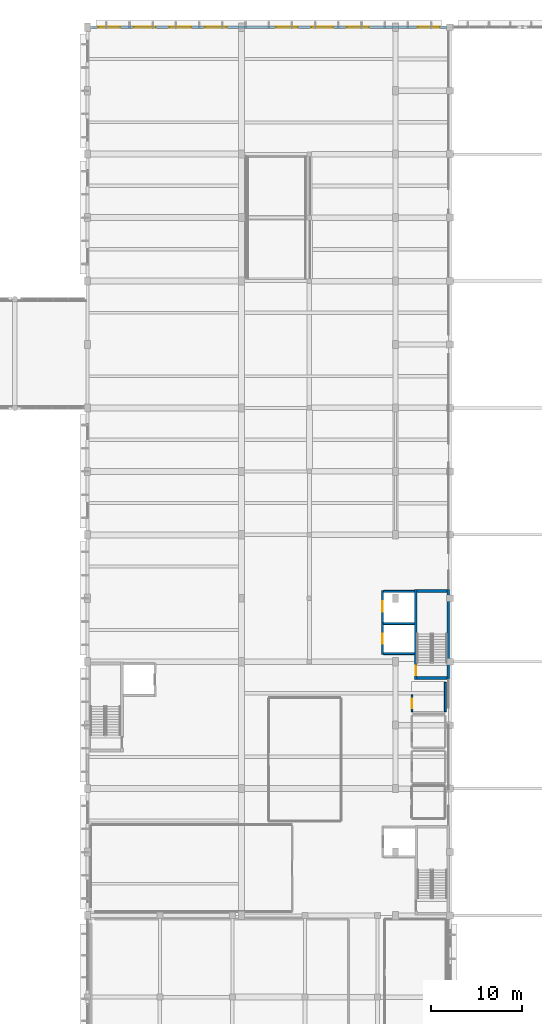
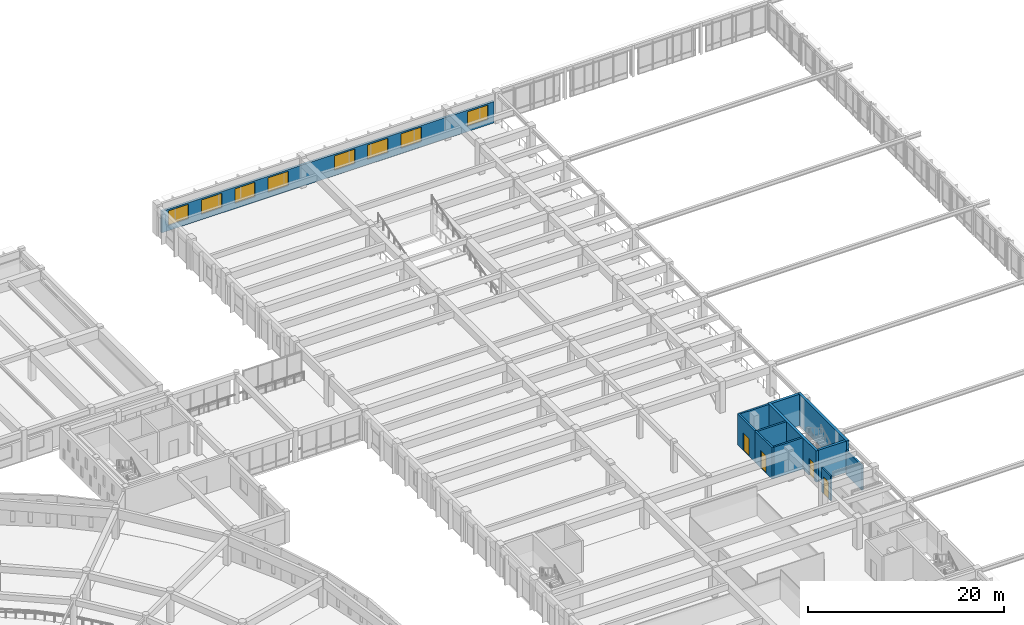
# One storey, part 74 of 98: 12 walls, 8 windows, 4 doors, 12 openings.
"""IFC4 building model written with IfcOpenShell, lengths in metres."""

from ifc_helpers import new_model, si_unit, direction, frame, frame_2d, origin, place, context, subcontext, project, spatial, rectangle, extrude, material, layer, layer_set, type_object, element, fill, save


model = new_model("IFC4")

# Units and contexts
model_context = context("Model", 3, precision=1e-05, world=origin(), true_north=direction((0.0, 1.0)))
body_context = subcontext(model_context, "Body", "Model", "MODEL_VIEW")
ifc_project = project(units=[si_unit("LENGTHUNIT", "METRE"), si_unit("AREAUNIT", "SQUARE_METRE"), si_unit("VOLUMEUNIT", "CUBIC_METRE"), si_unit("PLANEANGLEUNIT", "RADIAN"), si_unit("MASSUNIT", "GRAM", prefix="KILO")], contexts=[model_context])

# Site, building, storey
site_placement = place(None, origin())
site = spatial("IfcSite", under=ifc_project, at=site_placement, CompositionType="ELEMENT")
building_placement = place(site_placement, origin())
building = spatial("IfcBuilding", under=site, at=building_placement, Name="Larkveld Mobility Hub", CompositionType="ELEMENT")
storey_placement = place(building_placement, frame((0.0, 0.0, 4.5)))
storey = spatial("IfcBuildingStorey", under=building, at=storey_placement, Name="L01", CompositionType="ELEMENT", Elevation=4.5)

# Wall, openings, windows
ifc_material_1 = material(Name="Precast concrete C50/60", Category="concrete")
ifc_layer_1 = layer(ifc_material_1, 0.27001953125, Name="Precast concrete C50/60", Category="concrete")
ifc_layer_set_1 = layer_set([ifc_layer_1], Name="Precast concrete C50/60")
wall_type_1 = type_object("IfcWallType", Name="WL-EXT-270", PredefinedType="SOLIDWALL", material=ifc_layer_set_1)
wall_1_placement = place(storey_placement, frame((151.614990234375, 126.0, 0.0), z_axis=(0.0, 0.0, 1.0), x_axis=(-1.0, 0.0, 0.0)))
wall_1 = element("IfcWall", 1, at=wall_1_placement, inside=storey, type_object=wall_type_1, Name="Stepped North Terrace Wall L01-0229", PredefinedType="SOLIDWALL", context=body_context, shape_type="SweptSolid", body=[
    extrude(rectangle(XDim=39.155029296875, YDim=0.27001953125, at=frame_2d((19.57763671875, 0.0))), origin(), (0.0, 0.0, 1.0), 2.6650390625),
])
opening_1_placement = place(wall_1_placement, frame((0.758056640625, 0.0, 0.6650390625)))
opening_1 = element("IfcOpeningElement", 2, at=opening_1_placement, cuts=wall_1, Name="Opening W14", PredefinedType="OPENING", context=body_context, shape_type="SweptSolid", body=[
    extrude(rectangle(XDim=2.39990234375, YDim=1.800048828125, at=frame_2d((1.199951171875, 0.89990234375))), frame((0.0, 0.14501953125, 0.0), z_axis=(0.0, -1.0, 0.0), x_axis=(1.0, 0.0, 0.0)), (0.0, 0.0, 1.0), 0.2900390625),
])
opening_2_placement = place(wall_1_placement, frame((8.589111328125, 0.0, 0.6650390625)))
opening_2 = element("IfcOpeningElement", 3, at=opening_2_placement, cuts=wall_1, Name="Opening W14", PredefinedType="OPENING", context=body_context, shape_type="SweptSolid", body=[
    extrude(rectangle(XDim=2.39990234375, YDim=1.800048828125, at=frame_2d((1.199951171875, 0.89990234375))), frame((0.0, 0.14501953125, 0.0), z_axis=(0.0, -1.0, 0.0), x_axis=(1.0, 0.0, 0.0)), (0.0, 0.0, 1.0), 0.2900390625),
])
opening_3_placement = place(wall_1_placement, frame((12.50390625, 0.0, 0.6650390625)))
opening_3 = element("IfcOpeningElement", 4, at=opening_3_placement, cuts=wall_1, Name="Opening W14", PredefinedType="OPENING", context=body_context, shape_type="SweptSolid", body=[
    extrude(rectangle(XDim=2.39990234375, YDim=1.800048828125, at=frame_2d((1.199951171875, 0.89990234375))), frame((0.0, 0.14501953125, 0.0), z_axis=(0.0, -1.0, 0.0), x_axis=(1.0, 0.0, 0.0)), (0.0, 0.0, 1.0), 0.2900390625),
])
opening_4_placement = place(wall_1_placement, frame((16.419921875, 0.0, 0.6650390625)))
opening_4 = element("IfcOpeningElement", 5, at=opening_4_placement, cuts=wall_1, Name="Opening W14", PredefinedType="OPENING", context=body_context, shape_type="SweptSolid", body=[
    extrude(rectangle(XDim=2.39990234375, YDim=1.800048828125, at=frame_2d((1.199951171875, 0.89990234375))), frame((0.0, 0.14501953125, 0.0), z_axis=(0.0, -1.0, 0.0), x_axis=(1.0, 0.0, 0.0)), (0.0, 0.0, 1.0), 0.2900390625),
])
opening_5_placement = place(wall_1_placement, frame((24.2509765625, 0.0, 0.6650390625)))
opening_5 = element("IfcOpeningElement", 6, at=opening_5_placement, cuts=wall_1, Name="Opening W14", PredefinedType="OPENING", context=body_context, shape_type="SweptSolid", body=[
    extrude(rectangle(XDim=2.39990234375, YDim=1.800048828125, at=frame_2d((1.199951171875, 0.89990234375))), frame((0.0, 0.14501953125, 0.0), z_axis=(0.0, -1.0, 0.0), x_axis=(1.0, 0.0, 0.0)), (0.0, 0.0, 1.0), 0.2900390625),
])
opening_6_placement = place(wall_1_placement, frame((28.166015625, 0.0, 0.6650390625)))
opening_6 = element("IfcOpeningElement", 7, at=opening_6_placement, cuts=wall_1, Name="Opening W14", PredefinedType="OPENING", context=body_context, shape_type="SweptSolid", body=[
    extrude(rectangle(XDim=2.39990234375, YDim=1.800048828125, at=frame_2d((1.199951171875, 0.89990234375))), frame((0.0, 0.14501953125, 0.0), z_axis=(0.0, -1.0, 0.0), x_axis=(1.0, 0.0, 0.0)), (0.0, 0.0, 1.0), 0.2900390625),
])
opening_7_placement = place(wall_1_placement, frame((32.08203125, 0.0, 0.6650390625)))
opening_7 = element("IfcOpeningElement", 8, at=opening_7_placement, cuts=wall_1, Name="Opening W14", PredefinedType="OPENING", context=body_context, shape_type="SweptSolid", body=[
    extrude(rectangle(XDim=2.39990234375, YDim=1.800048828125, at=frame_2d((1.199951171875, 0.89990234375))), frame((0.0, 0.14501953125, 0.0), z_axis=(0.0, -1.0, 0.0), x_axis=(1.0, 0.0, 0.0)), (0.0, 0.0, 1.0), 0.2900390625),
])
opening_8_placement = place(wall_1_placement, frame((35.9970703125, 0.0, 0.6650390625)))
opening_8 = element("IfcOpeningElement", 9, at=opening_8_placement, cuts=wall_1, Name="Opening W14", PredefinedType="OPENING", context=body_context, shape_type="SweptSolid", body=[
    extrude(rectangle(XDim=2.39990234375, YDim=1.800048828125, at=frame_2d((1.199951171875, 0.89990234375))), frame((0.0, 0.14501953125, 0.0), z_axis=(0.0, -1.0, 0.0), x_axis=(1.0, 0.0, 0.0)), (0.0, 0.0, 1.0), 0.2900390625),
])
ifc_material_2 = material(Name="Low-E double glazing in aluminium frame", Category="aluminium")
window_type = type_object("IfcWindowType", Name="WN-ALU-14", PartitioningType="SINGLE_PANEL", PredefinedType="WINDOW", material=ifc_material_2)
window_1_placement = place(opening_1_placement, origin())
window_1 = element("IfcWindow", 10, at=window_1_placement, inside=storey, type_object=window_type, Name="Window W14 (1041)", OverallHeight=1.800048828125, OverallWidth=2.39990234375, PartitioningType="SINGLE_PANEL", PredefinedType="WINDOW", context=body_context, shape_type="SweptSolid", body=[
    extrude(rectangle(XDim=2.39990234375, YDim=1.800048828125, at=frame_2d((1.199951171875, 0.89990234375))), frame((0.0, 0.030029296875, 0.0), z_axis=(0.0, -1.0, 0.0), x_axis=(1.0, 0.0, 0.0)), (0.0, 0.0, 1.0), 0.06005859375),
])
fill(opening_1, window_1)
window_2_placement = place(opening_2_placement, origin())
window_2 = element("IfcWindow", 11, at=window_2_placement, inside=storey, type_object=window_type, Name="Window W14 (1042)", OverallHeight=1.800048828125, OverallWidth=2.39990234375, PartitioningType="SINGLE_PANEL", PredefinedType="WINDOW", context=body_context, shape_type="SweptSolid", body=[
    extrude(rectangle(XDim=2.39990234375, YDim=1.800048828125, at=frame_2d((1.199951171875, 0.89990234375))), frame((0.0, 0.030029296875, 0.0), z_axis=(0.0, -1.0, 0.0), x_axis=(1.0, 0.0, 0.0)), (0.0, 0.0, 1.0), 0.06005859375),
])
fill(opening_2, window_2)
window_3_placement = place(opening_3_placement, origin())
window_3 = element("IfcWindow", 12, at=window_3_placement, inside=storey, type_object=window_type, Name="Window W14 (1043)", OverallHeight=1.800048828125, OverallWidth=2.39990234375, PartitioningType="SINGLE_PANEL", PredefinedType="WINDOW", context=body_context, shape_type="SweptSolid", body=[
    extrude(rectangle(XDim=2.39990234375, YDim=1.800048828125, at=frame_2d((1.199951171875, 0.89990234375))), frame((0.0, 0.030029296875, 0.0), z_axis=(0.0, -1.0, 0.0), x_axis=(1.0, 0.0, 0.0)), (0.0, 0.0, 1.0), 0.06005859375),
])
fill(opening_3, window_3)
window_4_placement = place(opening_4_placement, origin())
window_4 = element("IfcWindow", 13, at=window_4_placement, inside=storey, type_object=window_type, Name="Window W14 (1044)", OverallHeight=1.800048828125, OverallWidth=2.39990234375, PartitioningType="SINGLE_PANEL", PredefinedType="WINDOW", context=body_context, shape_type="SweptSolid", body=[
    extrude(rectangle(XDim=2.39990234375, YDim=1.800048828125, at=frame_2d((1.199951171875, 0.89990234375))), frame((0.0, 0.030029296875, 0.0), z_axis=(0.0, -1.0, 0.0), x_axis=(1.0, 0.0, 0.0)), (0.0, 0.0, 1.0), 0.06005859375),
])
fill(opening_4, window_4)
window_5_placement = place(opening_5_placement, origin())
window_5 = element("IfcWindow", 14, at=window_5_placement, inside=storey, type_object=window_type, Name="Window W14 (1045)", OverallHeight=1.800048828125, OverallWidth=2.39990234375, PartitioningType="SINGLE_PANEL", PredefinedType="WINDOW", context=body_context, shape_type="SweptSolid", body=[
    extrude(rectangle(XDim=2.39990234375, YDim=1.800048828125, at=frame_2d((1.199951171875, 0.89990234375))), frame((0.0, 0.030029296875, 0.0), z_axis=(0.0, -1.0, 0.0), x_axis=(1.0, 0.0, 0.0)), (0.0, 0.0, 1.0), 0.06005859375),
])
fill(opening_5, window_5)
window_6_placement = place(opening_6_placement, origin())
window_6 = element("IfcWindow", 15, at=window_6_placement, inside=storey, type_object=window_type, Name="Window W14 (1046)", OverallHeight=1.800048828125, OverallWidth=2.39990234375, PartitioningType="SINGLE_PANEL", PredefinedType="WINDOW", context=body_context, shape_type="SweptSolid", body=[
    extrude(rectangle(XDim=2.39990234375, YDim=1.800048828125, at=frame_2d((1.199951171875, 0.89990234375))), frame((0.0, 0.030029296875, 0.0), z_axis=(0.0, -1.0, 0.0), x_axis=(1.0, 0.0, 0.0)), (0.0, 0.0, 1.0), 0.06005859375),
])
fill(opening_6, window_6)
window_7_placement = place(opening_7_placement, origin())
window_7 = element("IfcWindow", 16, at=window_7_placement, inside=storey, type_object=window_type, Name="Window W14 (1047)", OverallHeight=1.800048828125, OverallWidth=2.39990234375, PartitioningType="SINGLE_PANEL", PredefinedType="WINDOW", context=body_context, shape_type="SweptSolid", body=[
    extrude(rectangle(XDim=2.39990234375, YDim=1.800048828125, at=frame_2d((1.199951171875, 0.89990234375))), frame((0.0, 0.030029296875, 0.0), z_axis=(0.0, -1.0, 0.0), x_axis=(1.0, 0.0, 0.0)), (0.0, 0.0, 1.0), 0.06005859375),
])
fill(opening_7, window_7)
window_8_placement = place(opening_8_placement, origin())
window_8 = element("IfcWindow", 17, at=window_8_placement, inside=storey, type_object=window_type, Name="Window W14 (1048)", OverallHeight=1.800048828125, OverallWidth=2.39990234375, PartitioningType="SINGLE_PANEL", PredefinedType="WINDOW", context=body_context, shape_type="SweptSolid", body=[
    extrude(rectangle(XDim=2.39990234375, YDim=1.800048828125, at=frame_2d((1.199951171875, 0.89990234375))), frame((0.0, 0.030029296875, 0.0), z_axis=(0.0, -1.0, 0.0), x_axis=(1.0, 0.0, 0.0)), (0.0, 0.0, 1.0), 0.06005859375),
])
fill(opening_8, window_8)

# Wall, opening, door
ifc_material_3 = material(Name="Concrete blockwork masonry 14 MPa", Category="masonry")
ifc_layer_2 = layer(ifc_material_3, 0.195068359375, Name="Concrete blockwork masonry 14 MPa", Category="masonry")
ifc_layer_set_2 = layer_set([ifc_layer_2], Name="Concrete blockwork masonry 14 MPa")
wall_type_2 = type_object("IfcWallType", Name="WL-PRT-195", PredefinedType="PARTITIONING", material=ifc_layer_set_2)
wall_2_placement = place(storey_placement, frame((147.800048828125, 50.47998046875, 0.0), z_axis=(0.0, 0.0, 1.0), x_axis=(0.0, 1.0, 0.0)))
wall_2 = element("IfcWall", 18, at=wall_2_placement, inside=storey, type_object=wall_type_2, Name="Cleaners Store Room Partition 0073", PredefinedType="PARTITIONING", context=body_context, shape_type="SweptSolid", body=[
    extrude(rectangle(XDim=1.864013671875, YDim=0.195068359375, at=frame_2d((0.93212890625, 0.0))), origin(), (0.0, 0.0, 1.0), 3.054931640625),
])
opening_9_placement = place(wall_2_placement, frame((0.406982421875, 0.0, 0.0)))
opening_9 = element("IfcOpeningElement", 19, at=opening_9_placement, cuts=wall_2, Name="Opening DF02", PredefinedType="OPENING", context=body_context, shape_type="SweptSolid", body=[
    extrude(rectangle(XDim=1.050048828125, YDim=2.14990234375, at=frame_2d((0.52490234375, 1.074951171875))), frame((0.0, 0.107421875, 0.0), z_axis=(0.0, -1.0, 0.0), x_axis=(1.0, 0.0, 0.0)), (0.0, 0.0, 1.0), 0.215087890625),
])
ifc_material_4 = material(Name="Pressed Steel S355JR fire door assembly", Category="steel")
door_type_1 = type_object("IfcDoorType", Name="DR-FD60", OperationType="NOTDEFINED", PredefinedType="DOOR", material=ifc_material_4)
door_1_placement = place(opening_9_placement, origin())
door_1 = element("IfcDoor", 20, at=door_1_placement, inside=storey, type_object=door_type_1, Name="Cleaners Store Room Door 0019", OperationType="SINGLE_SWING_RIGHT", OverallHeight=2.14990234375, OverallWidth=1.050048828125, PredefinedType="DOOR", context=body_context, shape_type="SweptSolid", body=[
    extrude(rectangle(XDim=1.050048828125, YDim=2.14990234375, at=frame_2d((0.52490234375, 1.074951171875))), frame((0.0, 0.02490234375, 0.0), z_axis=(0.0, -1.0, 0.0), x_axis=(1.0, 0.0, 0.0)), (0.0, 0.0, 1.0), 0.050048828125),
])
fill(opening_9, door_1)

# Wall
wall_3_placement = place(storey_placement, frame((151.493896484375, 50.47998046875, 0.0), z_axis=(0.0, 0.0, 1.0), x_axis=(0.0, 1.0, 0.0)))
element("IfcWall", 21, at=wall_3_placement, inside=storey, type_object=wall_type_2, Name="Cleaners Store Room Partition 0074", PredefinedType="PARTITIONING", context=body_context, shape_type="SweptSolid", body=[
    extrude(rectangle(XDim=3.234130859375, YDim=0.195068359375, at=frame_2d((1.6171875, 0.0))), origin(), (0.0, 0.0, 1.0), 3.054931640625),
])

# Wall, opening, door
ifc_material_5 = material(Name="Concrete C40/50", Category="concrete")
ifc_layer_3 = layer(ifc_material_5, 0.219970703125, Name="Concrete C40/50", Category="concrete")
ifc_layer_set_3 = layer_set([ifc_layer_3], Name="Concrete C40/50")
wall_type_3 = type_object("IfcWallType", Name="WL-SHF-220", PredefinedType="SHEAR", material=ifc_layer_set_3)
wall_4_placement = place(storey_placement, frame((144.570068359375, 60.300048828125, 0.0), z_axis=(0.0, 0.0, 1.0), x_axis=(0.0, 1.0, 0.0)))
wall_4 = element("IfcWall", 22, at=wall_4_placement, inside=storey, type_object=wall_type_3, Name="Lift FL2 Shaft Wall L01-W", PredefinedType="SHEAR", context=body_context, shape_type="SweptSolid", body=[
    extrude(rectangle(XDim=3.570068359375, YDim=0.219970703125, at=frame_2d((1.78515625, 0.0))), origin(), (0.0, 0.0, 1.0), 3.89990234375),
])
opening_10_placement = place(wall_4_placement, frame((1.18505859375, 0.0, 0.0)))
opening_10 = element("IfcOpeningElement", 23, at=opening_10_placement, cuts=wall_4, Name="Opening LD02", PredefinedType="OPENING", context=body_context, shape_type="SweptSolid", body=[
    extrude(rectangle(XDim=1.199951171875, YDim=2.199951171875, at=frame_2d((0.60009765625, 1.10009765625))), frame((0.0, 0.1201171875, 0.0), z_axis=(0.0, -1.0, 0.0), x_axis=(1.0, 0.0, 0.0)), (0.0, 0.0, 1.0), 0.239990234375),
])
ifc_material_6 = material(Name="Brushed stainless Steel S355JR sliding landing door", Category="steel")
door_type_2 = type_object("IfcDoorType", Name="DR-LD-120", OperationType="DOUBLE_DOOR_SLIDING", PredefinedType="DOOR", material=ifc_material_6)
door_2_placement = place(opening_10_placement, origin())
door_2 = element("IfcDoor", 24, at=door_2_placement, inside=storey, type_object=door_type_2, Name="Lift landing door FL2-L01", OperationType="DOUBLE_DOOR_SLIDING", OverallHeight=2.199951171875, OverallWidth=1.199951171875, PredefinedType="DOOR", context=body_context, shape_type="SweptSolid", body=[
    extrude(rectangle(XDim=1.199951171875, YDim=2.199951171875, at=frame_2d((0.60009765625, 1.10009765625))), frame((0.0, 0.02490234375, 0.0), z_axis=(0.0, -1.0, 0.0), x_axis=(1.0, 0.0, 0.0)), (0.0, 0.0, 1.0), 0.050048828125),
])
fill(opening_10, door_2)

# Wall
wall_5_placement = place(storey_placement, frame((144.679931640625, 63.760009765625, 0.0), z_axis=(0.0, 0.0, 1.0), x_axis=(1.0, 0.0, 0.0)))
element("IfcWall", 25, at=wall_5_placement, inside=storey, type_object=wall_type_3, Name="Lift FL2 Shaft Wall L01-N", PredefinedType="SHEAR", context=body_context, shape_type="SweptSolid", body=[
    extrude(rectangle(XDim=3.400146484375, YDim=0.219970703125, at=frame_2d((1.7001953125, 0.0))), origin(), (0.0, 0.0, 1.0), 3.89990234375),
])

# Wall, opening, door
wall_6_placement = place(storey_placement, frame((144.570068359375, 56.780029296875, 0.0), z_axis=(0.0, 0.0, 1.0), x_axis=(0.0, 1.0, 0.0)))
wall_6 = element("IfcWall", 26, at=wall_6_placement, inside=storey, type_object=wall_type_3, Name="Lift PL1 Shaft Wall L01-W", PredefinedType="SHEAR", context=body_context, shape_type="SweptSolid", body=[
    extrude(rectangle(XDim=3.52001953125, YDim=0.219970703125, at=frame_2d((1.760009765625, 0.0))), origin(), (0.0, 0.0, 1.0), 3.89990234375),
])
opening_11_placement = place(wall_6_placement, frame((1.2099609375, 0.0, 0.0)))
opening_11 = element("IfcOpeningElement", 27, at=opening_11_placement, cuts=wall_6, Name="Opening LD01", PredefinedType="OPENING", context=body_context, shape_type="SweptSolid", body=[
    extrude(rectangle(XDim=1.10009765625, YDim=2.199951171875, at=frame_2d((0.550048828125, 1.10009765625))), frame((0.0, 0.1201171875, 0.0), z_axis=(0.0, -1.0, 0.0), x_axis=(1.0, 0.0, 0.0)), (0.0, 0.0, 1.0), 0.239990234375),
])
door_type_3 = type_object("IfcDoorType", Name="DR-LD-110", OperationType="DOUBLE_DOOR_SLIDING", PredefinedType="DOOR", material=ifc_material_6)
door_3_placement = place(opening_11_placement, origin())
door_3 = element("IfcDoor", 28, at=door_3_placement, inside=storey, type_object=door_type_3, Name="Lift landing door PL1-L01", OperationType="DOUBLE_DOOR_SLIDING", OverallHeight=2.199951171875, OverallWidth=1.10009765625, PredefinedType="DOOR", context=body_context, shape_type="SweptSolid", body=[
    extrude(rectangle(XDim=1.10009765625, YDim=2.199951171875, at=frame_2d((0.550048828125, 1.10009765625))), frame((0.0, 0.02490234375, 0.0), z_axis=(0.0, -1.0, 0.0), x_axis=(1.0, 0.0, 0.0)), (0.0, 0.0, 1.0), 0.050048828125),
])
fill(opening_11, door_3)

# Walls
for number, where, z_axis, x_axis, name in (
    (29, (148.080078125, 56.889892578125, 0.0), (0.0, 0.0, 1.0), (-1.0, 0.0, 0.0), "Lift PL1 Shaft Wall L01-S"),
    (30, (144.679931640625, 60.18994140625, 0.0), (0.0, 0.0, 1.0), (1.0, 0.0, 0.0), "Lift PL1 Shaft Wall L01-N"),
):
    element("IfcWall", number, at=place(storey_placement, frame(where, z_axis=z_axis, x_axis=x_axis)), inside=storey, type_object=wall_type_3, Name=name, PredefinedType="SHEAR", context=body_context, shape_type="SweptSolid", body=[
        extrude(rectangle(XDim=3.400146484375, YDim=0.219970703125, at=frame_2d((1.7001953125, 0.0))), origin(), (0.0, 0.0, 1.0), 3.89990234375),
    ])

# Wall, opening, door
ifc_layer_4 = layer(ifc_material_5, 0.300048828125, Name="Concrete C40/50", Category="concrete")
ifc_layer_set_4 = layer_set([ifc_layer_4], Name="Concrete C40/50")
wall_type_4 = type_object("IfcWallType", Name="WL-SHR-02", PredefinedType="SHEAR", material=ifc_layer_set_4)
wall_7_placement = place(storey_placement, frame((148.22998046875, 54.050048828125, 0.0), z_axis=(0.0, 0.0, 1.0), x_axis=(0.0, 1.0, 0.0)))
wall_7 = element("IfcWall", 31, at=wall_7_placement, inside=storey, type_object=wall_type_4, Name="Core C2 Stair Shear Wall L01-W", PredefinedType="SHEAR", context=body_context, shape_type="SweptSolid", body=[
    extrude(rectangle(XDim=9.89990234375, YDim=0.300048828125, at=frame_2d((4.949951171875, 0.0))), origin(), (0.0, 0.0, 1.0), 3.89990234375),
])
opening_12_placement = place(wall_7_placement, frame((0.449951171875, 0.0, 0.0)))
opening_12 = element("IfcOpeningElement", 32, at=opening_12_placement, cuts=wall_7, Name="Opening DF02", PredefinedType="OPENING", context=body_context, shape_type="SweptSolid", body=[
    extrude(rectangle(XDim=1.050048828125, YDim=2.14990234375, at=frame_2d((0.52490234375, 1.074951171875))), frame((0.0, 0.16015625, 0.0), z_axis=(0.0, -1.0, 0.0), x_axis=(1.0, 0.0, 0.0)), (0.0, 0.0, 1.0), 0.320068359375),
])
door_4_placement = place(opening_12_placement, origin())
door_4 = element("IfcDoor", 33, at=door_4_placement, inside=storey, type_object=door_type_1, Name="Stair ST2 Fire Door L01", OperationType="SINGLE_SWING_RIGHT", OverallHeight=2.14990234375, OverallWidth=1.050048828125, PredefinedType="DOOR", context=body_context, shape_type="SweptSolid", body=[
    extrude(rectangle(XDim=1.050048828125, YDim=2.14990234375, at=frame_2d((0.52490234375, 1.074951171875))), frame((0.0, 0.02490234375, 0.0), z_axis=(0.0, -1.0, 0.0), x_axis=(1.0, 0.0, 0.0)), (0.0, 0.0, 1.0), 0.050048828125),
])
fill(opening_12, door_4)

# Walls
wall_8_placement = place(storey_placement, frame((151.800048828125, 63.949951171875, 0.0), z_axis=(0.0, 0.0, 1.0), x_axis=(0.0, -1.0, 0.0)))
element("IfcWall", 34, at=wall_8_placement, inside=storey, type_object=wall_type_4, Name="Core C2 Stair Shear Wall L01-E", PredefinedType="SHEAR", context=body_context, shape_type="SweptSolid", body=[
    extrude(rectangle(XDim=9.89990234375, YDim=0.300048828125, at=frame_2d((4.949951171875, 0.0))), origin(), (0.0, 0.0, 1.0), 3.89990234375),
])
for number, where, z_axis, x_axis, name in (
    (35, (151.64990234375, 54.199951171875, 0.0), (0.0, 0.0, 1.0), (-1.0, 0.0, 0.0), "Core C2 Stair Shear Wall L01-S"),
    (36, (148.3798828125, 63.800048828125, 0.0), (0.0, 0.0, 1.0), (1.0, 0.0, 0.0), "Core C2 Stair Shear Wall L01-N"),
):
    element("IfcWall", number, at=place(storey_placement, frame(where, z_axis=z_axis, x_axis=x_axis)), inside=storey, type_object=wall_type_4, Name=name, PredefinedType="SHEAR", context=body_context, shape_type="SweptSolid", body=[
        extrude(rectangle(XDim=3.27001953125, YDim=0.300048828125, at=frame_2d((1.635009765625, 0.0))), origin(), (0.0, 0.0, 1.0), 3.89990234375),
    ])

save(model, "model.ifc")
